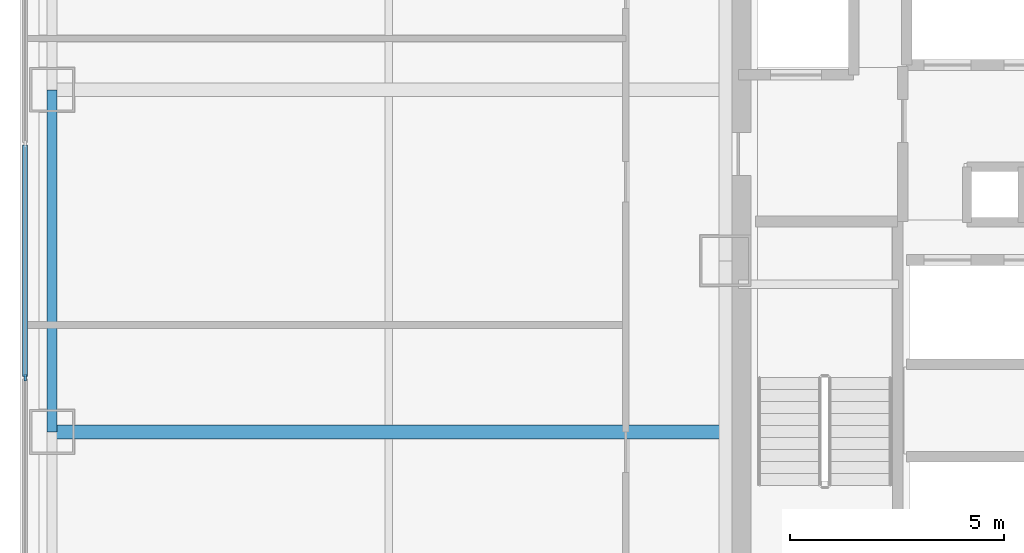
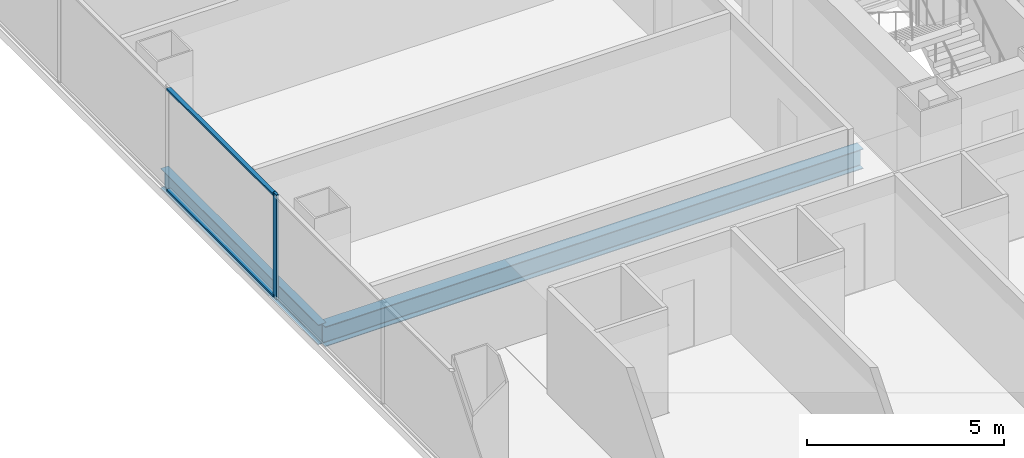
# One storey, part 4 of 20: 3 members, 2 beams, 1 element without a shape of its own.
"""IFC4 building model written with IfcOpenShell, lengths in metres."""

from ifc_helpers import new_model, si_unit, direction, frame, origin, origin_2d, place, context, subcontext, project, spatial, rectangle, i_section, extrude, material, layer, layer_set, material_profile, profile_set, type_object, element, aggregate, save


model = new_model("IFC4")

# Units and contexts
model_context = context("Model", 3, precision=1e-05, world=origin(), true_north=direction((0.0, 1.0)))
body_context = subcontext(model_context, "Body", "Model", "MODEL_VIEW")
ifc_project = project(units=[si_unit("LENGTHUNIT", "METRE"), si_unit("AREAUNIT", "SQUARE_METRE"), si_unit("VOLUMEUNIT", "CUBIC_METRE"), si_unit("PLANEANGLEUNIT", "RADIAN"), si_unit("MASSUNIT", "GRAM", prefix="KILO")], contexts=[model_context])

# Site, building, storey
site_placement = place(None, origin())
site = spatial("IfcSite", under=ifc_project, at=site_placement, CompositionType="ELEMENT")
building_placement = place(site_placement, origin())
building = spatial("IfcBuilding", under=site, at=building_placement, Name="Trevonay Congress Spire", CompositionType="ELEMENT")
storey_placement = place(building_placement, frame((0.0, 0.0, 62.0)))
storey = spatial("IfcBuildingStorey", under=building, at=storey_placement, Name="L15", CompositionType="ELEMENT", Elevation=62.0)

# Beams
ifc_material_1 = material(Name="Steel ASTM A572 Grade 50", Category="steel")
ifc_material_profile_1 = material_profile(ifc_material_1, i_section(OverallWidth=0.324951171875, OverallDepth=0.615966796875, WebThickness=0.013916015625, FlangeThickness=0.021484375, FilletRadius=0.01806640625, at=origin_2d()), Name="W610x174")
ifc_profile_set_1 = profile_set([ifc_material_profile_1], Name="Steel ASTM A572 Grade 50")
beam_type_1 = type_object("IfcBeamType", Name="BM-GIRD-W610X174", PredefinedType="BEAM", material=ifc_profile_set_1)
beam_1_placement = place(storey_placement, frame((-7.5, -4.0, -0.55810546875), z_axis=(-1.0, 0.0, 0.0), x_axis=(0.0, -1.0, 0.0)))
element("IfcBeam", 1, at=beam_1_placement, inside=storey, type_object=beam_type_1, Name="L15 structural beam BM-L15-GW-M", PredefinedType="BEAM", context=body_context, shape_type="SweptSolid", body=[
    extrude(i_section(OverallWidth=0.324951171875, OverallDepth=0.615966796875, WebThickness=0.013916015625, FlangeThickness=0.021484375, FilletRadius=0.01806640625, at=origin_2d()), origin(), (0.0, 0.0, 1.0), 15.75),
])
ifc_material_profile_2 = material_profile(ifc_material_1, i_section(OverallWidth=0.22998046875, OverallDepth=0.616943359375, WebThickness=0.01318359375, FlangeThickness=0.022216796875, FilletRadius=0.01611328125, at=origin_2d()), Name="W610x140")
ifc_profile_set_2 = profile_set([ifc_material_profile_2], Name="Steel ASTM A572 Grade 50")
beam_type_2 = type_object("IfcBeamType", Name="BM-RING-W610X140", PredefinedType="BEAM", material=ifc_profile_set_2)
beam_2_placement = place(storey_placement, frame((-23.25, -4.0, -0.55859375), z_axis=(0.0, 1.0, 0.0), x_axis=(-1.0, 0.0, 0.0)))
element("IfcBeam", 2, at=beam_2_placement, inside=storey, type_object=beam_type_2, Name="L15 structural beam BM-L15-PW3", PredefinedType="BEAM", context=body_context, shape_type="SweptSolid", body=[
    extrude(i_section(OverallWidth=0.22998046875, OverallDepth=0.616943359375, WebThickness=0.01318359375, FlangeThickness=0.022216796875, FilletRadius=0.01611328125, at=origin_2d()), origin(), (0.0, 0.0, 1.0), 8.0),
])

# Curtain wall, members
ifc_material_2 = material(Name="Pale Anodised Aluminium EN AW-6063-T6", Category="aluminium")
ifc_layer = layer(ifc_material_2, 0.179931640625, Name="Pale Anodised Aluminium EN AW-6063-T6")
ifc_layer_set = layer_set([ifc_layer], Name="Pale Anodised Aluminium EN AW-6063-T6")
curtain_wall_type = type_object("IfcCurtainWallType", Name="CW-SYS02-HOTEL-PALE-METAL", PredefinedType="NOTDEFINED", material=ifc_layer_set)
curtain_wall_placement = place(storey_placement, origin())
curtain_wall = element("IfcCurtainWall", 3, at=curtain_wall_placement, inside=storey, type_object=curtain_wall_type, Name="L15 W unitised curtain wall", PredefinedType="NOTDEFINED")
ifc_material_profile_3 = material_profile(ifc_material_2, rectangle(XDim=0.06005859375, YDim=0.159912109375, at=origin_2d()), Name="CW-MULLION-160-ALUMINIUM")
ifc_profile_set_3 = profile_set([ifc_material_profile_3], Name="Pale Anodised Aluminium EN AW-6063-T6")
member_type_1 = type_object("IfcMemberType", Name="CW-MULLION-160-ALUMINIUM", PredefinedType="MULLION", material=ifc_profile_set_3)
member_1_placement = place(storey_placement, frame((-23.8798828125, -2.735595703125, 0.0), z_axis=(0.0, 0.0, 1.0), x_axis=(-1.0, 0.0, 0.0)))
member_1 = element("IfcMember", 4, at=member_1_placement, type_object=member_type_1, Name="CW02 mullion 4", PredefinedType="MULLION", context=body_context, shape_type="SweptSolid", body=[
    extrude(rectangle(XDim=0.06005859375, YDim=0.159912109375, at=origin_2d()), origin(), (0.0, 0.0, 1.0), 3.25),
])
ifc_material_profile_4 = material_profile(ifc_material_2, rectangle(XDim=0.1201171875, YDim=0.06005859375, at=origin_2d()), Name="CW-TRANSOM-120-ALUMINIUM")
ifc_profile_set_4 = profile_set([ifc_material_profile_4], Name="Pale Anodised Aluminium EN AW-6063-T6")
member_type_2 = type_object("IfcMemberType", Name="CW-TRANSOM-120-ALUMINIUM", PredefinedType="USERDEFINED", material=ifc_profile_set_4)
member_2_placement = place(storey_placement, frame((-23.8798828125, -2.705810546875, 0.06005859375), z_axis=(0.0, 1.0, 0.0), x_axis=(-1.0, 0.0, 0.0)))
member_2 = element("IfcMember", 5, at=member_2_placement, type_object=member_type_2, Name="CW02 transom 4.1", ObjectType="TRANSOM", PredefinedType="USERDEFINED", context=body_context, shape_type="SweptSolid", body=[
    extrude(rectangle(XDim=0.1201171875, YDim=0.06005859375, at=origin_2d()), origin(), (0.0, 0.0, 1.0), 5.41162109375),
])
member_3_placement = place(storey_placement, frame((-23.8798828125, -2.705810546875, 3.18994140625), z_axis=(0.0, 1.0, 0.0), x_axis=(-1.0, 0.0, 0.0)))
member_3 = element("IfcMember", 6, at=member_3_placement, type_object=member_type_2, Name="CW02 transom 4.2", ObjectType="TRANSOM", PredefinedType="USERDEFINED", context=body_context, shape_type="SweptSolid", body=[
    extrude(rectangle(XDim=0.1201171875, YDim=0.06005859375, at=origin_2d()), origin(), (0.0, 0.0, 1.0), 5.41162109375),
])
aggregate(curtain_wall, [member_1, member_2, member_3])

save(model, "model.ifc")
